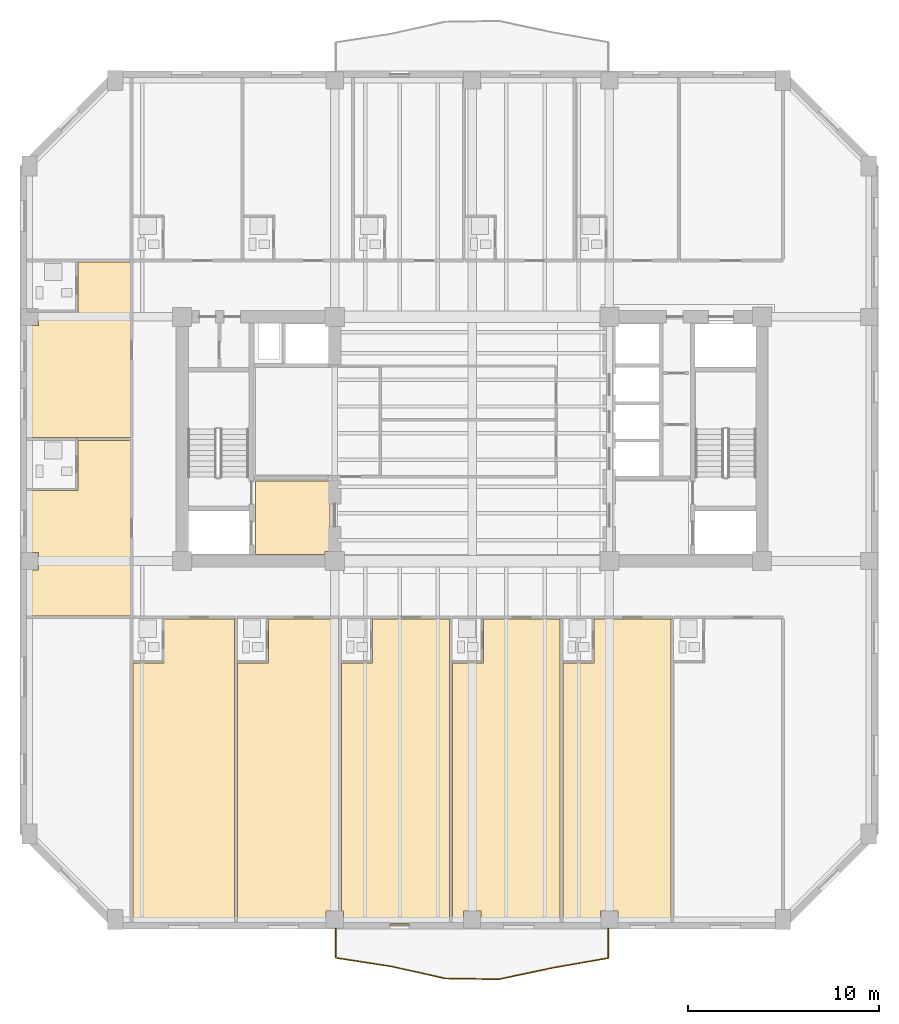
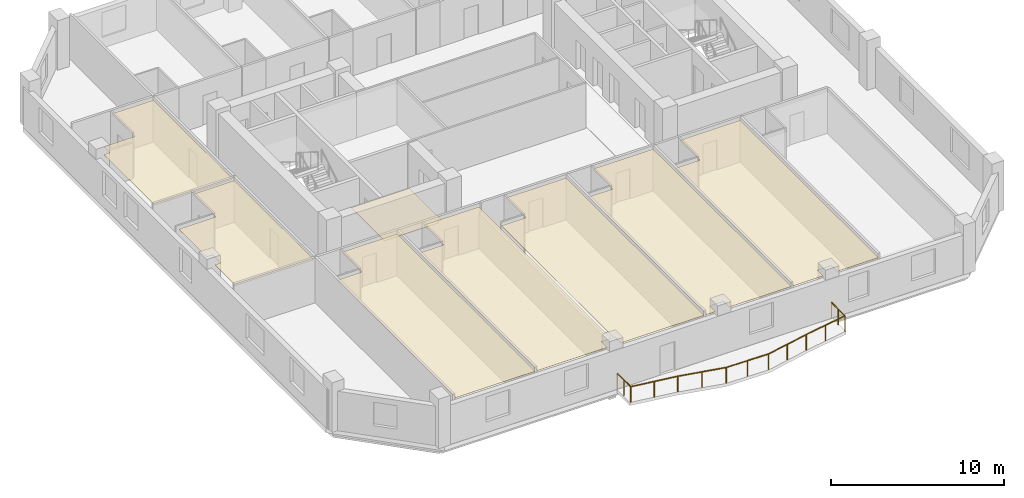
# One storey, part 7 of 11: 8 coverings, 1 railing.
"""IFC4 building model written with IfcOpenShell, lengths in metres."""

from ifc_helpers import new_model, si_unit, direction, frame, origin, origin_2d, place, context, subcontext, project, spatial, polyline, circle, outline, extrude, material, layer, layer_set, type_object, element, save


model = new_model("IFC4")

# Units and contexts
model_context = context("Model", 3, precision=1e-05, world=origin(), true_north=direction((0.0, 1.0)))
body_context = subcontext(model_context, "Body", "Model", "MODEL_VIEW")
ifc_project = project(units=[si_unit("LENGTHUNIT", "METRE"), si_unit("AREAUNIT", "SQUARE_METRE"), si_unit("VOLUMEUNIT", "CUBIC_METRE"), si_unit("PLANEANGLEUNIT", "RADIAN"), si_unit("MASSUNIT", "GRAM", prefix="KILO")], contexts=[model_context])

# Site, building, storey
site_placement = place(None, origin())
site = spatial("IfcSite", under=ifc_project, at=site_placement, CompositionType="ELEMENT")
building_placement = place(site_placement, origin())
building = spatial("IfcBuilding", under=site, at=building_placement, Name="Kranthara Brick Stack", CompositionType="ELEMENT")
storey_placement = place(building_placement, frame((0.0, 0.0, 130.800048828125)))
storey = spatial("IfcBuildingStorey", under=building, at=storey_placement, Name="L32", CompositionType="ELEMENT", Elevation=130.800048828125)

# Coverings
ifc_material_1 = material(Name="Perforated mineral-fibre acoustic ceiling tile", Category="other")
ifc_layer_1 = layer(ifc_material_1, 0.02490234375)
ifc_layer_set_1 = layer_set([ifc_layer_1], Name="Perforated mineral-fibre acoustic ceiling tile")
covering_type_1 = type_object("IfcCoveringType", Name="COV-CEIL-ACOUSTIC", PredefinedType="CEILING", material=ifc_layer_set_1)
covering_1_placement = place(storey_placement, frame((0.0, 0.0, 2.929931640625)))
element("IfcCovering", 1, at=covering_1_placement, inside=storey, type_object=covering_type_1, Name="L32 Room L32-01 Corner Junior Suite Acoustic Ceiling", PredefinedType="CEILING", context=body_context, shape_type="SweptSolid", body=[
    extrude(outline(polyline([(10.22998046875, 1.800048828125), (15.533935546875, 1.800048828125), (15.533935546875, 17.77001953125), (11.860107421875, 17.77001953125), (11.860107421875, 15.4599609375), (10.22998046875, 15.4599609375), (10.22998046875, 1.800048828125)])), origin(), (0.0, 0.0, 1.0), 0.02490234375),
])
covering_2_placement = place(storey_placement, frame((0.0, 0.0, 2.929931640625)))
element("IfcCovering", 2, at=covering_2_placement, inside=storey, type_object=covering_type_1, Name="L32 Room L32-02 Corner Junior Suite Acoustic Ceiling", PredefinedType="CEILING", context=body_context, shape_type="SweptSolid", body=[
    extrude(outline(polyline([(15.694091796875, 1.800048828125), (15.694091796875, 15.4599609375), (17.323974609375, 15.4599609375), (17.323974609375, 17.77001953125), (20.998046875, 17.77001953125), (20.998046875, 2.4599609375), (20.340087890625, 2.4599609375), (20.340087890625, 1.800048828125), (15.694091796875, 1.800048828125)])), origin(), (0.0, 0.0, 1.0), 0.02490234375),
])
covering_3_placement = place(storey_placement, frame((0.0, 0.0, 2.929931640625)))
element("IfcCovering", 3, at=covering_3_placement, inside=storey, type_object=covering_type_1, Name="L32 Room L32-03 Corner Junior Suite Acoustic Ceiling", PredefinedType="CEILING", context=body_context, shape_type="SweptSolid", body=[
    extrude(outline(polyline([(21.157958984375, 15.4599609375), (22.7880859375, 15.4599609375), (22.7880859375, 17.77001953125), (26.802978515625, 17.77001953125), (26.802978515625, 1.800048828125), (21.260009765625, 1.800048828125), (21.260009765625, 2.4599609375), (21.157958984375, 2.4599609375), (21.157958984375, 15.4599609375)])), origin(), (0.0, 0.0, 1.0), 0.02490234375),
])
covering_4_placement = place(storey_placement, frame((0.0, 0.0, 2.929931640625)))
element("IfcCovering", 4, at=covering_4_placement, inside=storey, type_object=covering_type_1, Name="L32 Room L32-04 Corner Junior Suite Acoustic Ceiling", PredefinedType="CEILING", context=body_context, shape_type="SweptSolid", body=[
    extrude(outline(polyline([(26.962890625, 1.800048828125), (26.962890625, 15.4599609375), (28.593017578125, 15.4599609375), (28.593017578125, 17.77001953125), (32.60888671875, 17.77001953125), (32.60888671875, 1.800048828125), (28.4599609375, 1.800048828125), (28.4599609375, 2.4599609375), (27.5400390625, 2.4599609375), (27.5400390625, 1.800048828125), (26.962890625, 1.800048828125)])), origin(), (0.0, 0.0, 1.0), 0.02490234375),
])
covering_5_placement = place(storey_placement, frame((0.0, 0.0, 2.929931640625)))
element("IfcCovering", 5, at=covering_5_placement, inside=storey, type_object=covering_type_1, Name="L32 Room L32-05 Corner Junior Suite Acoustic Ceiling", PredefinedType="CEILING", context=body_context, shape_type="SweptSolid", body=[
    extrude(outline(polyline([(32.76904296875, 1.800048828125), (32.76904296875, 15.4599609375), (34.39892578125, 15.4599609375), (34.39892578125, 17.77001953125), (38.4140625, 17.77001953125), (38.4140625, 1.800048828125), (35.659912109375, 1.800048828125), (35.659912109375, 2.4599609375), (34.739990234375, 2.4599609375), (34.739990234375, 1.800048828125), (32.76904296875, 1.800048828125)])), origin(), (0.0, 0.0, 1.0), 0.02490234375),
])
covering_6_placement = place(storey_placement, frame((0.0, 0.0, 2.929931640625)))
element("IfcCovering", 6, at=covering_6_placement, inside=storey, type_object=covering_type_1, Name="L32 Room L32-13 Hotel Guest Room Acoustic Ceiling", PredefinedType="CEILING", context=body_context, shape_type="SweptSolid", body=[
    extrude(outline(polyline([(4.8701171875, 24.489990234375), (7.330078125, 24.489990234375), (7.330078125, 27.1201171875), (10.080078125, 27.1201171875), (10.080078125, 17.929931640625), (4.8701171875, 17.929931640625), (4.8701171875, 20.340087890625), (5.260009765625, 20.340087890625), (5.260009765625, 21.260009765625), (4.8701171875, 21.260009765625), (4.8701171875, 24.489990234375)])), origin(), (0.0, 0.0, 1.0), 0.02490234375),
])
covering_7_placement = place(storey_placement, frame((0.0, 0.0, 2.929931640625)))
element("IfcCovering", 7, at=covering_7_placement, inside=storey, type_object=covering_type_1, Name="L32 Room L32-14 Hotel Guest Room Acoustic Ceiling", PredefinedType="CEILING", context=body_context, shape_type="SweptSolid", body=[
    extrude(outline(polyline([(7.330078125, 33.840087890625), (7.330078125, 36.469970703125), (10.080078125, 36.469970703125), (10.080078125, 27.280029296875), (4.8701171875, 27.280029296875), (4.8701171875, 33.139892578125), (5.260009765625, 33.139892578125), (5.260009765625, 33.840087890625), (7.330078125, 33.840087890625)])), origin(), (0.0, 0.0, 1.0), 0.02490234375),
])
ifc_material_2 = material(Name="Honed terrazzo and porcelain floor finish", Category="stone")
ifc_layer_2 = layer(ifc_material_2, 0.030029296875)
ifc_layer_set_2 = layer_set([ifc_layer_2], Name="Honed terrazzo and porcelain floor finish")
covering_type_2 = type_object("IfcCoveringType", Name="COV-FLOR-STONE", PredefinedType="FLOORING", material=ifc_layer_set_2)
covering_8_placement = place(storey_placement, origin())
element("IfcCovering", 8, at=covering_8_placement, inside=storey, type_object=covering_type_2, Name="L32 Lift Lobby Stone Flooring", PredefinedType="FLOORING", context=body_context, shape_type="SweptSolid", body=[
    extrude(outline(polyline([(16.64990234375, 21.14990234375), (16.64990234375, 25.0), (20.550048828125, 25.0), (20.550048828125, 21.31005859375), (20.2900390625, 21.31005859375), (20.2900390625, 21.14990234375), (16.64990234375, 21.14990234375)])), origin(), (0.0, 0.0, 1.0), 0.030029296875),
])

# Railing
ifc_material_3 = material(Name="Bronze anodised aluminium and laminated glass balustrade", Category="aluminium")
railing_type = type_object("IfcRailingType", Name="RL-BALC-1120", PredefinedType="BALUSTRADE", material=ifc_material_3)
railing_placement = place(storey_placement, frame((35.139892578125, 1.56005859375, 0.0)))
element("IfcRailing", 9, at=railing_placement, inside=storey, type_object=railing_type, Name="L32 South Rippling Balcony Balustrade", PredefinedType="BALUSTRADE", context=body_context, shape_type="SweptSolid", body=[
    extrude(circle(Radius=0.02392578125, at=origin_2d()), frame((0.0, 0.0, 1.09619140625), z_axis=(0.0, -1.0, 0.0), x_axis=(1.0, 0.0, 0.0)), (0.0, 0.0, 1.0), 1.576171875),
    extrude(circle(Radius=0.02392578125, at=origin_2d()), frame((0.0, -1.576171875, 1.09619140625), z_axis=(-0.984901867281, -0.173113580708, 0.0), x_axis=(0.173113580708, -0.984901867281, 0.0)), (0.0, 0.0, 1.0), 2.923583984375),
    extrude(circle(Radius=0.02392578125, at=origin_2d()), frame((-2.87939453125, -2.082275390625, 1.09619140625), z_axis=(-0.97856392556, -0.205943301889, 0.0), x_axis=(0.205943301889, -0.97856392556, 0.0)), (0.0, 0.0, 1.0), 2.930419921875),
    extrude(circle(Radius=0.02392578125, at=origin_2d()), frame((-5.7470703125, -2.685791015625, 1.09619140625), z_axis=(-0.999888966858, 0.014901474916, 0.0), x_axis=(-0.014901474916, -0.999888966858, 0.0)), (0.0, 0.0, 1.0), 2.78515625),
    extrude(circle(Radius=0.02392578125, at=origin_2d()), frame((-8.531982421875, -2.644287109375, 1.09619140625), z_axis=(-0.976356887663, 0.216164816548, 0.0), x_axis=(-0.216164816548, -0.976356887663, 0.0)), (0.0, 0.0, 1.0), 2.9375),
    extrude(circle(Radius=0.02392578125, at=origin_2d()), frame((-11.400146484375, -2.00927734375, 1.09619140625), z_axis=(-0.988240569936, 0.152907082674, 0.0), x_axis=(-0.152907082674, -0.988240569936, 0.0)), (0.0, 0.0, 1.0), 2.913818359375),
    extrude(circle(Radius=0.02392578125, at=origin_2d()), frame((-14.27978515625, -1.563720703125, 1.09619140625), z_axis=(0.0, 1.0, 0.0), x_axis=(-1.0, 0.0, 0.0)), (0.0, 0.0, 1.0), 1.563720703125),
    extrude(circle(Radius=0.02099609375, at=origin_2d()), origin(), (0.0, 0.0, 1.0), 1.072021484375),
    extrude(circle(Radius=0.02099609375, at=origin_2d()), frame((0.0, -0.7880859375, 0.0)), (0.0, 0.0, 1.0), 1.072021484375),
    extrude(circle(Radius=0.02099609375, at=origin_2d()), frame((0.0, -1.576171875, 0.0)), (0.0, 0.0, 1.0), 1.072021484375),
    extrude(circle(Radius=0.02099609375, at=origin_2d()), frame((-1.439697265625, -1.8291015625, 0.0)), (0.0, 0.0, 1.0), 1.072021484375),
    extrude(circle(Radius=0.02099609375, at=origin_2d()), frame((-2.87939453125, -2.082275390625, 0.0)), (0.0, 0.0, 1.0), 1.072021484375),
    extrude(circle(Radius=0.02099609375, at=origin_2d()), frame((-4.313232421875, -2.384033203125, 0.0)), (0.0, 0.0, 1.0), 1.072021484375),
    extrude(circle(Radius=0.02099609375, at=origin_2d()), frame((-5.7470703125, -2.685791015625, 0.0)), (0.0, 0.0, 1.0), 1.072021484375),
    extrude(circle(Radius=0.02099609375, at=origin_2d()), frame((-7.1396484375, -2.6650390625, 0.0)), (0.0, 0.0, 1.0), 1.072021484375),
    extrude(circle(Radius=0.02099609375, at=origin_2d()), frame((-8.531982421875, -2.644287109375, 0.0)), (0.0, 0.0, 1.0), 1.072021484375),
    extrude(circle(Radius=0.02099609375, at=origin_2d()), frame((-9.966064453125, -2.32666015625, 0.0)), (0.0, 0.0, 1.0), 1.072021484375),
    extrude(circle(Radius=0.02099609375, at=origin_2d()), frame((-11.400146484375, -2.00927734375, 0.0)), (0.0, 0.0, 1.0), 1.072021484375),
    extrude(circle(Radius=0.02099609375, at=origin_2d()), frame((-12.83984375, -1.78662109375, 0.0)), (0.0, 0.0, 1.0), 1.072021484375),
    extrude(circle(Radius=0.02099609375, at=origin_2d()), frame((-14.27978515625, -1.563720703125, 0.0)), (0.0, 0.0, 1.0), 1.072021484375),
    extrude(circle(Radius=0.02099609375, at=origin_2d()), frame((-14.27978515625, -0.78173828125, 0.0)), (0.0, 0.0, 1.0), 1.072021484375),
    extrude(circle(Radius=0.02099609375, at=origin_2d()), frame((-14.27978515625, 0.0, 0.0)), (0.0, 0.0, 1.0), 1.072021484375),
])

save(model, "model.ifc")
